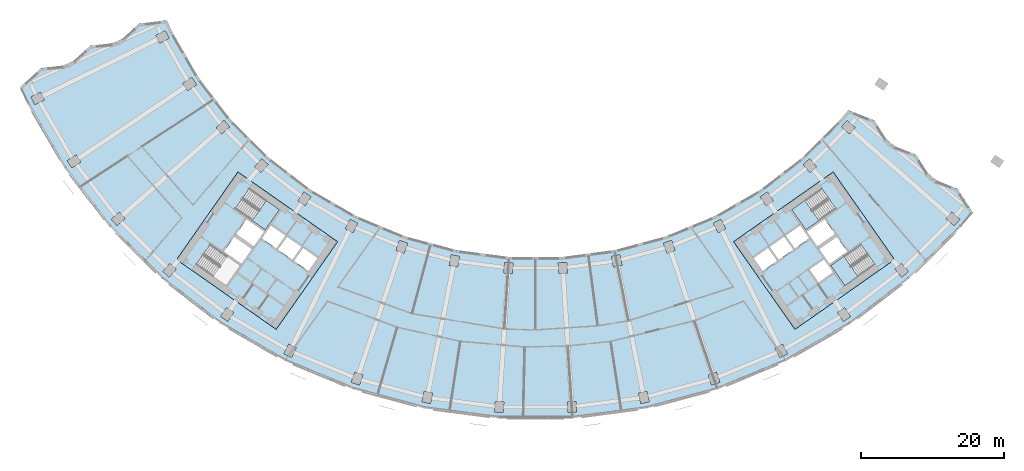
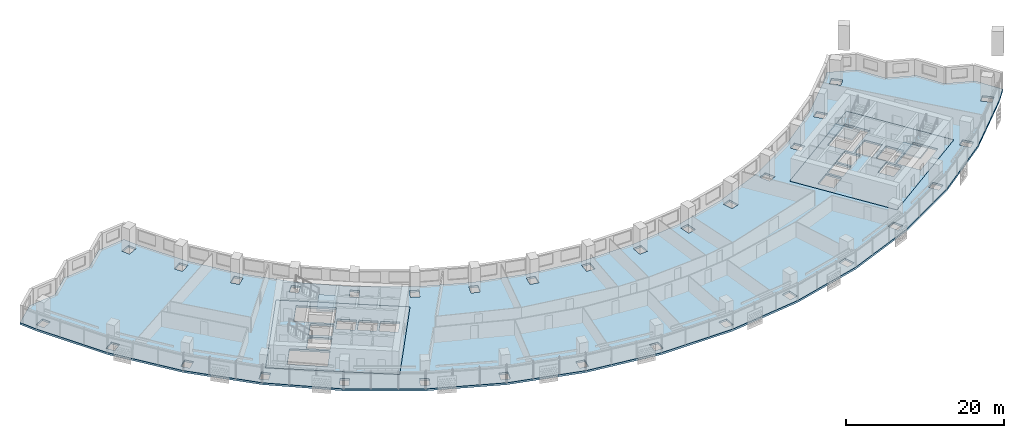
# One storey, part 2 of 29: 6 slabs, 3 elements without a shape of their own.
"""IFC4 building model written with IfcOpenShell, lengths in metres."""

from ifc_helpers import new_model, si_unit, direction, frame, origin, place, context, subcontext, project, spatial, polyline, outline, extrude, material, layer, layer_set, type_object, element, aggregate, save


model = new_model("IFC4")

# Units and contexts
model_context = context("Model", 3, precision=1e-05, world=origin(), true_north=direction((0.0, 1.0)))
body_context = subcontext(model_context, "Body", "Model", "MODEL_VIEW")
ifc_project = project(units=[si_unit("LENGTHUNIT", "METRE"), si_unit("AREAUNIT", "SQUARE_METRE"), si_unit("VOLUMEUNIT", "CUBIC_METRE"), si_unit("PLANEANGLEUNIT", "RADIAN"), si_unit("MASSUNIT", "GRAM", prefix="KILO")], contexts=[model_context])

# Site, building, storey
site_placement = place(None, origin())
site = spatial("IfcSite", under=ifc_project, at=site_placement, CompositionType="ELEMENT")
building_placement = place(site_placement, origin())
building = spatial("IfcBuilding", under=site, at=building_placement, Name="Qamariyya Broadcast Tower", CompositionType="ELEMENT")
storey_placement = place(building_placement, frame((0.0, 0.0, 113.89990234375)))
storey = spatial("IfcBuildingStorey", under=building, at=storey_placement, Name="L25", CompositionType="ELEMENT", Elevation=113.89990234375)

# Slabs
ifc_material_1 = material(Name="Concrete C40/50", Category="concrete")
ifc_layer_1 = layer(ifc_material_1, 0.300048828125)
ifc_layer_set_1 = layer_set([ifc_layer_1], Name="Core floor slab 300 mm Concrete C40/50")
slab_type_1 = type_object("IfcSlabType", Name="Core floor slab 300 mm Concrete C40/50", PredefinedType="FLOOR", material=ifc_layer_set_1)
slab_1_placement = place(storey_placement, frame((0.0, 0.0, -0.2998046875)))
element("IfcSlab", 1, at=slab_1_placement, inside=storey, type_object=slab_type_1, Name="k-W-L25-slab", PredefinedType="FLOOR", context=body_context, shape_type="SweptSolid", body=[
    extrude(outline(polyline([(-50.286376953125, -56.95751953125), (-36.32373046875, -66.734375), (-27.719970703125, -54.447021484375), (-41.6826171875, -44.67041015625), (-50.286376953125, -56.95751953125)]), holes=[polyline([(-31.80859375, -58.542724609375), (-33.8154296875, -57.137451171875), (-32.5537109375, -55.335205078125), (-30.546630859375, -56.740478515625), (-31.80859375, -58.542724609375)]), polyline([(-34.061279296875, -56.96533203125), (-36.068115234375, -55.56005859375), (-34.806396484375, -53.758056640625), (-32.79931640625, -55.163330078125), (-34.061279296875, -56.96533203125)]), polyline([(-36.31396484375, -55.387939453125), (-38.32080078125, -53.982666015625), (-37.058837890625, -52.1806640625), (-35.052001953125, -53.5859375), (-36.31396484375, -55.387939453125)]), polyline([(-39.742431640625, -55.489990234375), (-42.199951171875, -53.769287109375), (-43.6337890625, -55.817138671875), (-41.17626953125, -57.537841796875), (-39.742431640625, -55.489990234375)]), polyline([(-39.45556640625, -55.080322265625), (-41.9130859375, -53.359619140625), (-40.47900390625, -51.311767578125), (-38.021728515625, -53.032470703125), (-39.45556640625, -55.080322265625)]), polyline([(-42.06103515625, -49.837890625), (-37.849609375, -52.78662109375), (-35.870849609375, -49.960693359375), (-40.082275390625, -47.01171875), (-42.06103515625, -49.837890625)]), polyline([(-47.538818359375, -57.66064453125), (-43.3271484375, -60.609619140625), (-41.348388671875, -57.783447265625), (-45.559814453125, -54.834716796875), (-47.538818359375, -57.66064453125)])]), origin(), (0.0, 0.0, 1.0), 0.2998046875),
])
slab_2_placement = place(storey_placement, frame((0.0, 0.0, -0.2998046875)))
element("IfcSlab", 2, at=slab_2_placement, inside=storey, type_object=slab_type_1, Name="k-E-L25-slab", PredefinedType="FLOOR", context=body_context, shape_type="SweptSolid", body=[
    extrude(outline(polyline([(36.32373046875, -66.734375), (50.286376953125, -56.95751953125), (41.6826171875, -44.67041015625), (27.719970703125, -54.447021484375), (36.32373046875, -66.734375)]), holes=[polyline([(31.80859375, -58.542724609375), (33.8154296875, -57.137451171875), (32.5537109375, -55.335205078125), (30.546630859375, -56.740478515625), (31.80859375, -58.542724609375)]), polyline([(34.061279296875, -56.96533203125), (36.068115234375, -55.56005859375), (34.806396484375, -53.758056640625), (32.79931640625, -55.163330078125), (34.061279296875, -56.96533203125)]), polyline([(36.31396484375, -55.387939453125), (38.32080078125, -53.982666015625), (37.058837890625, -52.1806640625), (35.052001953125, -53.5859375), (36.31396484375, -55.387939453125)]), polyline([(38.378662109375, -58.3369140625), (40.3857421875, -56.931640625), (41.6474609375, -58.73388671875), (39.640625, -60.13916015625), (38.378662109375, -58.3369140625)]), polyline([(39.742431640625, -55.489990234375), (42.199951171875, -53.769287109375), (43.6337890625, -55.817138671875), (41.17626953125, -57.537841796875), (39.742431640625, -55.489990234375)]), polyline([(39.45556640625, -55.080322265625), (41.9130859375, -53.359619140625), (40.47900390625, -51.311767578125), (38.021728515625, -53.032470703125), (39.45556640625, -55.080322265625)]), polyline([(40.082275390625, -47.01171875), (35.870849609375, -49.960693359375), (37.849609375, -52.78662109375), (42.06103515625, -49.837890625), (40.082275390625, -47.01171875)]), polyline([(45.559814453125, -54.834716796875), (41.348388671875, -57.783447265625), (43.3271484375, -60.609619140625), (47.538818359375, -57.66064453125), (45.559814453125, -54.834716796875)])]), origin(), (0.0, 0.0, 1.0), 0.2998046875),
])
ifc_layer_2 = layer(ifc_material_1, 0.300048828125)
ifc_layer_set_2 = layer_set([ifc_layer_2], Name="Post-tensioned floor slab 300 C40/50")
slab_type_2 = type_object("IfcSlabType", Name="Post-tensioned floor slab 300 C40/50", PredefinedType="FLOOR", material=ifc_layer_set_2)
slab_3_placement = place(storey_placement, frame((0.0, 0.0, -0.2998046875)))
element("IfcSlab", 3, at=slab_3_placement, inside=storey, type_object=slab_type_2, Name="Floor slab S4 L25", PredefinedType="FLOOR", context=body_context, shape_type="SweptSolid", body=[
    extrude(outline(polyline([(-69.264404296875, -30.128173828125), (-72.206787109375, -32.781982421875), (-71.1220703125, -35.073486328125), (-65.935546875, -44.056640625), (-59.620849609375, -52.2861328125), (-52.2861328125, -59.620849609375), (-44.056640625, -65.935546875), (-35.073486328125, -71.1220703125), (-25.490234375, -75.091552734375), (-15.470703125, -77.7763671875), (-5.1865234375, -79.130126953125), (5.1865234375, -79.130126953125), (15.470703125, -77.7763671875), (25.490234375, -75.091552734375), (35.073486328125, -71.1220703125), (44.056640625, -65.935546875), (52.2861328125, -59.620849609375), (59.620849609375, -52.2861328125), (61.261962890625, -50.353515625), (59.106689453125, -47.028564453125), (55.442138671875, -45.570068359375), (53.2861328125, -42.24462890625), (49.622314453125, -40.78662109375), (47.46533203125, -37.460205078125), (43.802734375, -36.0029296875), (42.62939453125, -37.385009765625), (37.385009765625, -42.62939453125), (31.500732421875, -47.144287109375), (25.077880859375, -50.852783203125), (18.2255859375, -53.69091796875), (11.0615234375, -55.610595703125), (3.708251953125, -56.57861328125), (-3.708251953125, -56.57861328125), (-11.0615234375, -55.610595703125), (-18.2255859375, -53.69091796875), (-25.077880859375, -50.852783203125), (-31.500732421875, -47.144287109375), (-37.385009765625, -42.62939453125), (-42.62939453125, -37.385009765625), (-47.144287109375, -31.500732421875), (-50.852783203125, -25.077880859375), (-51.62841796875, -23.439208984375), (-55.543212890625, -23.89892578125), (-58.48779296875, -26.553466796875), (-62.404052734375, -27.013671875), (-65.347412109375, -29.667724609375), (-69.264404296875, -30.128173828125)]), holes=[polyline([(-5.73291015625, -78.292724609375), (-5.634765625, -76.7958984375), (-4.437255859375, -76.874267578125), (-4.535400390625, -78.37109375), (-5.73291015625, -78.292724609375)]), polyline([(-15.903076171875, -76.87451171875), (-15.6103515625, -75.4033203125), (-14.43359375, -75.637451171875), (-14.72607421875, -77.108642578125), (-15.903076171875, -76.87451171875)]), polyline([(-25.80126953125, -74.14111328125), (-25.319091796875, -72.720703125), (-24.1826171875, -73.1064453125), (-24.664794921875, -74.52685546875), (-25.80126953125, -74.14111328125)]), polyline([(-35.2578125, -70.13916015625), (-34.59423828125, -68.7939453125), (-33.51806640625, -69.324462890625), (-34.181640625, -70.669921875), (-35.2578125, -70.13916015625)]), polyline([(-44.111083984375, -64.93701171875), (-43.27783203125, -63.689697265625), (-42.280029296875, -64.3564453125), (-43.11328125, -65.603759765625), (-44.111083984375, -64.93701171875)]), polyline([(-52.209716796875, -58.623779296875), (-51.220703125, -57.49609375), (-50.318603515625, -58.287353515625), (-51.3076171875, -59.4150390625), (-52.209716796875, -58.623779296875)]), polyline([(-12.098876953125, -57.749267578125), (-11.80615234375, -56.278076171875), (-10.629150390625, -56.51220703125), (-10.921875, -57.9833984375), (-12.098876953125, -57.749267578125)]), polyline([(-41.6826171875, -44.67041015625), (-27.719970703125, -54.447021484375), (-36.32373046875, -66.734375), (-50.286376953125, -56.95751953125), (-41.6826171875, -44.67041015625)]), polyline([(-19.051025390625, -54.255615234375), (-17.91455078125, -54.641357421875), (-18.396728515625, -56.061767578125), (-19.533203125, -55.676025390625), (-19.051025390625, -54.255615234375)]), polyline([(-26.633056640625, -52.650146484375), (-25.9697265625, -51.3046875), (-24.8935546875, -51.83544921875), (-25.556884765625, -53.180908203125), (-26.633056640625, -52.650146484375)]), polyline([(-59.4150390625, -51.3076171875), (-58.287353515625, -50.318603515625), (-57.49609375, -51.220703125), (-58.623779296875, -52.209716796875), (-59.4150390625, -51.3076171875)]), polyline([(-33.277587890625, -48.723388671875), (-32.444091796875, -47.47607421875), (-31.4462890625, -48.142822265625), (-32.27978515625, -49.39013671875), (-33.277587890625, -48.723388671875)]), polyline([(-39.3525390625, -43.962890625), (-38.363525390625, -42.835205078125), (-37.461181640625, -43.62646484375), (-38.4501953125, -44.754150390625), (-39.3525390625, -43.962890625)]), polyline([(-65.603759765625, -43.11328125), (-64.3564453125, -42.280029296875), (-63.689697265625, -43.27783203125), (-64.93701171875, -44.111083984375), (-65.603759765625, -43.11328125)]), polyline([(-44.754150390625, -38.4501953125), (-43.62646484375, -37.461181640625), (-42.835205078125, -38.363525390625), (-43.962890625, -39.3525390625), (-44.754150390625, -38.4501953125)]), polyline([(-70.669921875, -34.181640625), (-69.324462890625, -33.51806640625), (-68.7939453125, -34.59423828125), (-70.13916015625, -35.2578125), (-70.669921875, -34.181640625)]), polyline([(-48.142822265625, -31.4462890625), (-47.47607421875, -32.444091796875), (-48.723388671875, -33.277587890625), (-49.39013671875, -32.27978515625), (-48.142822265625, -31.4462890625)]), polyline([(-51.83544921875, -24.8935546875), (-51.3046875, -25.9697265625), (-52.650146484375, -26.633056640625), (-53.180908203125, -25.556884765625), (-51.83544921875, -24.8935546875)]), polyline([(4.535400390625, -78.37109375), (4.437255859375, -76.874267578125), (5.634765625, -76.7958984375), (5.73291015625, -78.292724609375), (4.535400390625, -78.37109375)]), polyline([(14.72607421875, -77.108642578125), (14.43359375, -75.637451171875), (15.6103515625, -75.4033203125), (15.903076171875, -76.87451171875), (14.72607421875, -77.108642578125)]), polyline([(24.664794921875, -74.52685546875), (24.1826171875, -73.1064453125), (25.319091796875, -72.720703125), (25.80126953125, -74.14111328125), (24.664794921875, -74.52685546875)]), polyline([(34.181640625, -70.669921875), (33.51806640625, -69.324462890625), (34.59423828125, -68.7939453125), (35.2578125, -70.13916015625), (34.181640625, -70.669921875)]), polyline([(43.11328125, -65.603759765625), (42.280029296875, -64.3564453125), (43.27783203125, -63.689697265625), (44.111083984375, -64.93701171875), (43.11328125, -65.603759765625)]), polyline([(51.3076171875, -59.4150390625), (50.318603515625, -58.287353515625), (51.220703125, -57.49609375), (52.209716796875, -58.623779296875), (51.3076171875, -59.4150390625)]), polyline([(3.260009765625, -58.912841796875), (3.161865234375, -57.416015625), (4.359375, -57.337646484375), (4.45751953125, -58.83447265625), (3.260009765625, -58.912841796875)]), polyline([(-4.359375, -57.337646484375), (-3.161865234375, -57.416015625), (-3.260009765625, -58.912841796875), (-4.45751953125, -58.83447265625), (-4.359375, -57.337646484375)]), polyline([(10.629150390625, -56.51220703125), (11.80615234375, -56.278076171875), (12.098876953125, -57.749267578125), (10.921875, -57.9833984375), (10.629150390625, -56.51220703125)]), polyline([(36.32373046875, -66.734375), (27.719970703125, -54.447021484375), (41.6826171875, -44.67041015625), (50.286376953125, -56.95751953125), (36.32373046875, -66.734375)]), polyline([(18.396728515625, -56.061767578125), (17.91455078125, -54.641357421875), (19.051025390625, -54.255615234375), (19.533203125, -55.676025390625), (18.396728515625, -56.061767578125)]), polyline([(25.556884765625, -53.180908203125), (24.8935546875, -51.83544921875), (25.9697265625, -51.3046875), (26.633056640625, -52.650146484375), (25.556884765625, -53.180908203125)]), polyline([(58.623779296875, -52.209716796875), (57.49609375, -51.220703125), (58.287353515625, -50.318603515625), (59.4150390625, -51.3076171875), (58.623779296875, -52.209716796875)]), polyline([(32.27978515625, -49.39013671875), (31.4462890625, -48.142822265625), (32.444091796875, -47.47607421875), (33.277587890625, -48.723388671875), (32.27978515625, -49.39013671875)]), polyline([(38.4501953125, -44.754150390625), (37.461181640625, -43.62646484375), (38.363525390625, -42.835205078125), (39.3525390625, -43.962890625), (38.4501953125, -44.754150390625)]), polyline([(42.835205078125, -38.363525390625), (43.62646484375, -37.461181640625), (44.754150390625, -38.4501953125), (43.962890625, -39.3525390625), (42.835205078125, -38.363525390625)])]), origin(), (0.0, 0.0, 1.0), 0.2998046875),
])

# Stair, slab
ifc_material_2 = material(Name="Concrete C50/60", Category="concrete")
stair_type = type_object("IfcStairType", Name="Exit stair 22 risers of 173 mm", PredefinedType="HALF_TURN_STAIR", material=ifc_material_2)
stair_1_placement = place(storey_placement, origin())
stair_1 = element("IfcStair", 4, at=stair_1_placement, inside=storey, type_object=stair_type, Name="L25 Stair W2", PredefinedType="HALF_TURN_STAIR")
ifc_layer_3 = layer(ifc_material_2, 0.199951171875)
ifc_layer_set_3 = layer_set([ifc_layer_3], Name="Stair landing")
slab_type_3 = type_object("IfcSlabType", Name="Stair landing", PredefinedType="LANDING", material=ifc_layer_set_3)
slab_4_placement = place(storey_placement, frame((0.0, 0.0, 1.7001953125)))
slab_4 = element("IfcSlab", 5, at=slab_4_placement, type_object=slab_type_3, Name="ST-W2 landing 1", PredefinedType="LANDING", context=body_context, shape_type="SweptSolid", body=[
    extrude(outline(polyline([(-39.692138671875, -51.49658203125), (-37.849609375, -52.78662109375), (-35.870849609375, -49.960693359375), (-37.71337890625, -48.67041015625), (-39.692138671875, -51.49658203125)])), origin(), (0.0, 0.0, 1.0), 0.199951171875),
])
aggregate(stair_1, [slab_4])

stair_2_placement = place(storey_placement, origin())
stair_2 = element("IfcStair", 6, at=stair_2_placement, inside=storey, type_object=stair_type, Name="L25 Stair E2", PredefinedType="HALF_TURN_STAIR")
slab_5_placement = place(storey_placement, frame((0.0, 0.0, 1.7001953125)))
slab_5 = element("IfcSlab", 7, at=slab_5_placement, type_object=slab_type_3, Name="ST-E2 landing 1", PredefinedType="LANDING", context=body_context, shape_type="SweptSolid", body=[
    extrude(outline(polyline([(37.71337890625, -48.67041015625), (35.870849609375, -49.960693359375), (37.849609375, -52.78662109375), (39.692138671875, -51.49658203125), (37.71337890625, -48.67041015625)])), origin(), (0.0, 0.0, 1.0), 0.199951171875),
])
aggregate(stair_2, [slab_5])

stair_3_placement = place(storey_placement, origin())
stair_3 = element("IfcStair", 8, at=stair_3_placement, inside=storey, type_object=stair_type, Name="L25 Stair E1", PredefinedType="HALF_TURN_STAIR")
slab_6_placement = place(storey_placement, frame((0.0, 0.0, 1.7001953125)))
slab_6 = element("IfcSlab", 9, at=slab_6_placement, type_object=slab_type_3, Name="ST-E1 landing 1", PredefinedType="LANDING", context=body_context, shape_type="SweptSolid", body=[
    extrude(outline(polyline([(43.19091796875, -56.493408203125), (41.348388671875, -57.783447265625), (43.3271484375, -60.609619140625), (45.169677734375, -59.319580078125), (43.19091796875, -56.493408203125)])), origin(), (0.0, 0.0, 1.0), 0.199951171875),
])
aggregate(stair_3, [slab_6])

save(model, "model.ifc")
